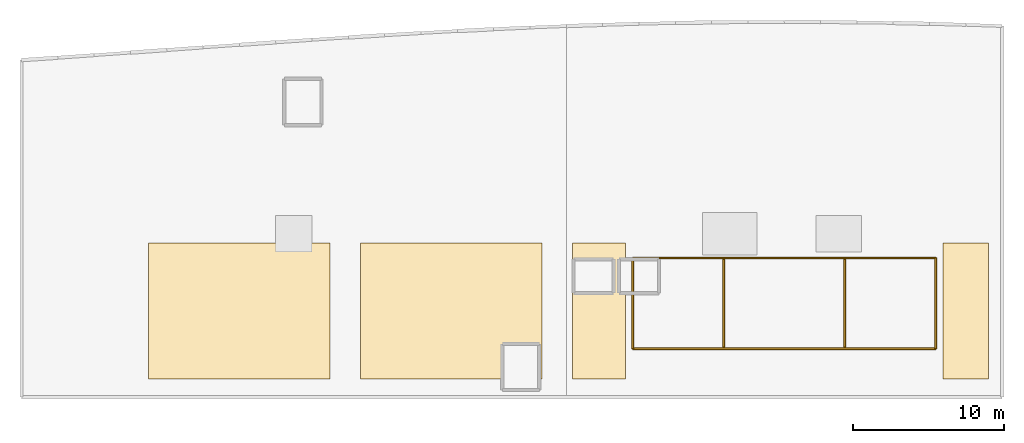
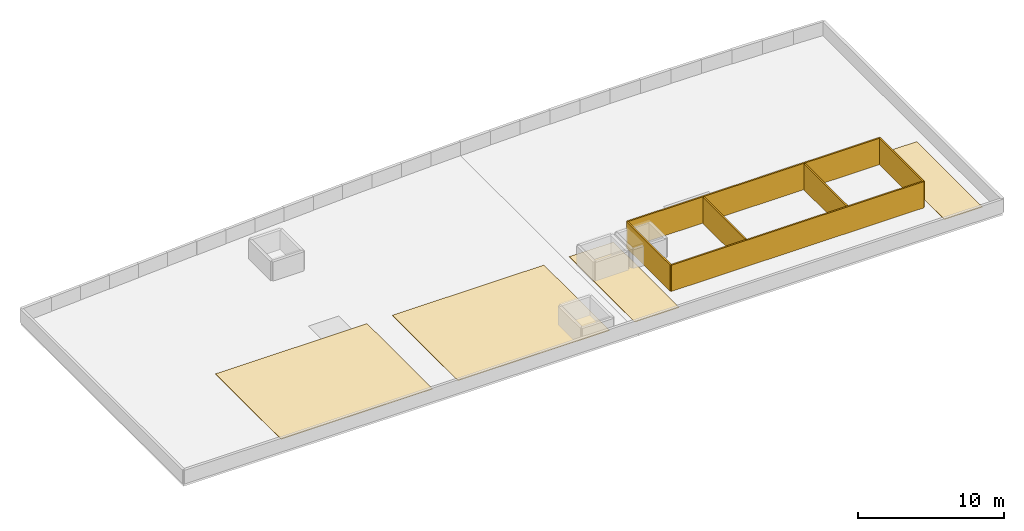
# One storey, part 2 of 2: 6 shading devices, 4 coverings.
"""IFC4 building model written with IfcOpenShell, lengths in metres."""

from ifc_helpers import new_model, si_unit, direction, frame, origin, origin_2d, place, context, subcontext, project, spatial, polyline, rectangle, outline, extrude, material, layer, layer_set, type_object, element, save


model = new_model("IFC4")

# Units and contexts
model_context = context("Model", 3, precision=1e-05, world=origin(), true_north=direction((0.0, 1.0)))
body_context = subcontext(model_context, "Body", "Model", "MODEL_VIEW")
ifc_project = project(units=[si_unit("LENGTHUNIT", "METRE"), si_unit("AREAUNIT", "SQUARE_METRE"), si_unit("VOLUMEUNIT", "CUBIC_METRE"), si_unit("PLANEANGLEUNIT", "RADIAN"), si_unit("MASSUNIT", "GRAM", prefix="KILO")], contexts=[model_context])

# Site, building, storey
site_placement = place(None, origin())
site = spatial("IfcSite", under=ifc_project, at=site_placement, CompositionType="ELEMENT")
building_placement = place(site_placement, origin())
building = spatial("IfcBuilding", under=site, at=building_placement, Name="Carrowvane Square Congress Hotel", CompositionType="ELEMENT")
storey_placement = place(building_placement, frame((0.0, 0.0, 48.60009765625)))
storey = spatial("IfcBuildingStorey", under=building, at=storey_placement, Name="RF", CompositionType="ELEMENT", Elevation=48.60009765625)

# Coverings
ifc_material_1 = material(Name="Standing-seam zinc cladding", Category="metal")
ifc_layer = layer(ifc_material_1, 0.034912109375)
ifc_layer_set = layer_set([ifc_layer], Name="Standing-seam zinc cladding")
covering_type = type_object("IfcCoveringType", Name="COV-ROOF-ZINC", PredefinedType="ROOFING", material=ifc_layer_set)
covering_1_placement = place(storey_placement, origin())
element("IfcCovering", 1, at=covering_1_placement, inside=storey, type_object=covering_type, Name="RF standing-seam zinc roof zone 1", PredefinedType="ROOFING", context=body_context, shape_type="SweptSolid", body=[
    extrude(outline(polyline([(56.0, 93.0), (68.0, 93.0), (68.0, 102.0), (56.0, 102.0), (56.0, 93.0)])), origin(), (0.0, 0.0, 1.0), 0.034912109375),
])
covering_2_placement = place(storey_placement, origin())
element("IfcCovering", 2, at=covering_2_placement, inside=storey, type_object=covering_type, Name="RF standing-seam zinc roof zone 2", PredefinedType="ROOFING", context=body_context, shape_type="SweptSolid", body=[
    extrude(outline(polyline([(70.0, 93.0), (82.0, 93.0), (82.0, 102.0), (70.0, 102.0), (70.0, 93.0)])), origin(), (0.0, 0.0, 1.0), 0.034912109375),
])
covering_3_placement = place(storey_placement, origin())
element("IfcCovering", 3, at=covering_3_placement, inside=storey, type_object=covering_type, Name="RF standing-seam zinc roof zone 3", PredefinedType="ROOFING", context=body_context, shape_type="SweptSolid", body=[
    extrude(outline(polyline([(84.0, 93.0), (87.5, 93.0), (87.5, 102.0), (84.0, 102.0), (84.0, 93.0)])), origin(), (0.0, 0.0, 1.0), 0.034912109375),
])
covering_4_placement = place(storey_placement, origin())
element("IfcCovering", 4, at=covering_4_placement, inside=storey, type_object=covering_type, Name="RF standing-seam zinc roof zone 4", PredefinedType="ROOFING", context=body_context, shape_type="SweptSolid", body=[
    extrude(outline(polyline([(108.5, 93.0), (111.5, 93.0), (111.5, 102.0), (108.5, 102.0), (108.5, 93.0)])), origin(), (0.0, 0.0, 1.0), 0.034912109375),
])

# Shading devices
ifc_material_2 = material(Name="Anodised aluminium", Category="aluminium")
shading_device_type = type_object("IfcShadingDeviceType", Name="SHD-LVR-ALU", PredefinedType="JALOUSIE", material=ifc_material_2)
shading_device_1_placement = place(storey_placement, frame((98.0, 95.0, 0.0), z_axis=(0.0, 0.0, 1.0), x_axis=(1.0, 0.0, 0.0)))
element("IfcShadingDevice", 5, at=shading_device_1_placement, inside=storey, type_object=shading_device_type, Name="RF rooftop acoustic plant louvre 1", PredefinedType="JALOUSIE", context=body_context, shape_type="SweptSolid", body=[
    extrude(rectangle(XDim=20.0, YDim=0.1201171875, at=origin_2d()), origin(), (0.0, 0.0, 1.0), 2.199951171875),
])
shading_device_2_placement = place(storey_placement, frame((108.0, 98.0, 0.0), z_axis=(0.0, 0.0, 1.0), x_axis=(0.0, 1.0, 0.0)))
element("IfcShadingDevice", 6, at=shading_device_2_placement, inside=storey, type_object=shading_device_type, Name="RF rooftop acoustic plant louvre 2", PredefinedType="JALOUSIE", context=body_context, shape_type="SweptSolid", body=[
    extrude(rectangle(XDim=6.0, YDim=0.1201171875, at=origin_2d()), origin(), (0.0, 0.0, 1.0), 2.199951171875),
])
shading_device_3_placement = place(storey_placement, frame((98.0, 101.0, 0.0), z_axis=(0.0, 0.0, 1.0), x_axis=(-1.0, 0.0, 0.0)))
element("IfcShadingDevice", 7, at=shading_device_3_placement, inside=storey, type_object=shading_device_type, Name="RF rooftop acoustic plant louvre 3", PredefinedType="JALOUSIE", context=body_context, shape_type="SweptSolid", body=[
    extrude(rectangle(XDim=20.0, YDim=0.1201171875, at=origin_2d()), origin(), (0.0, 0.0, 1.0), 2.199951171875),
])
shading_device_4_placement = place(storey_placement, frame((88.0, 98.0, 0.0), z_axis=(0.0, 0.0, 1.0), x_axis=(0.0, -1.0, 0.0)))
element("IfcShadingDevice", 8, at=shading_device_4_placement, inside=storey, type_object=shading_device_type, Name="RF rooftop acoustic plant louvre 4", PredefinedType="JALOUSIE", context=body_context, shape_type="SweptSolid", body=[
    extrude(rectangle(XDim=6.0, YDim=0.1201171875, at=origin_2d()), origin(), (0.0, 0.0, 1.0), 2.199951171875),
])
for number, where, z_axis, x_axis, name in (
    (9, (94.0, 98.0, 0.0), (0.0, 0.0, 1.0), (0.0, 1.0, 0.0), "RF rooftop acoustic splitter louvre 5"),
    (10, (102.0, 98.0, 0.0), (0.0, 0.0, 1.0), (0.0, 1.0, 0.0), "RF rooftop acoustic splitter louvre 6"),
):
    element("IfcShadingDevice", number, at=place(storey_placement, frame(where, z_axis=z_axis, x_axis=x_axis)), inside=storey, type_object=shading_device_type, Name=name, PredefinedType="JALOUSIE", context=body_context, shape_type="SweptSolid", body=[
        extrude(rectangle(XDim=5.800048828125, YDim=0.1201171875, at=origin_2d()), origin(), (0.0, 0.0, 1.0), 2.199951171875),
    ])

save(model, "model.ifc")
